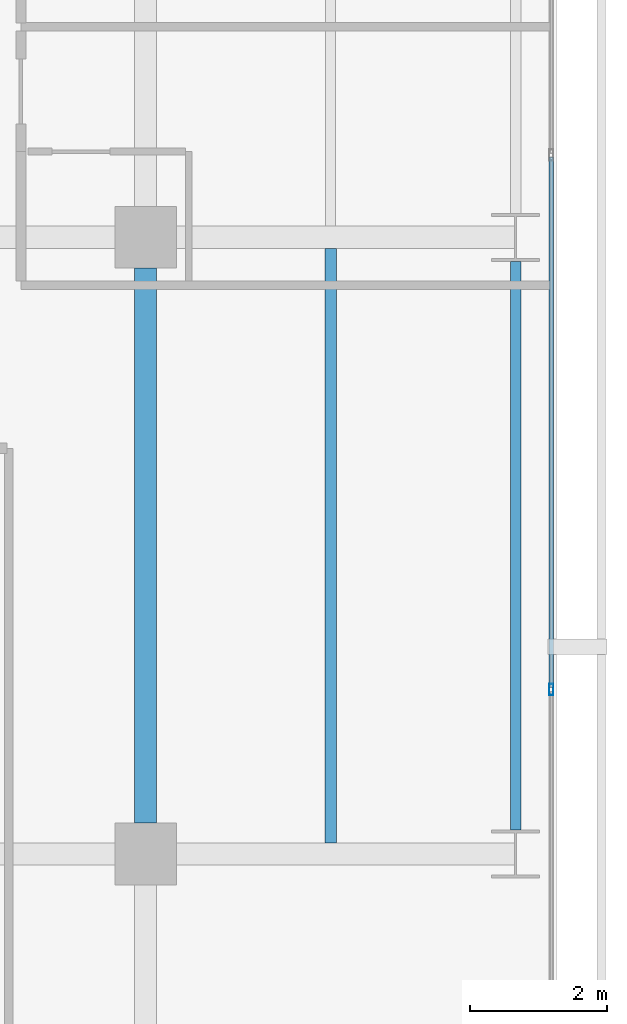
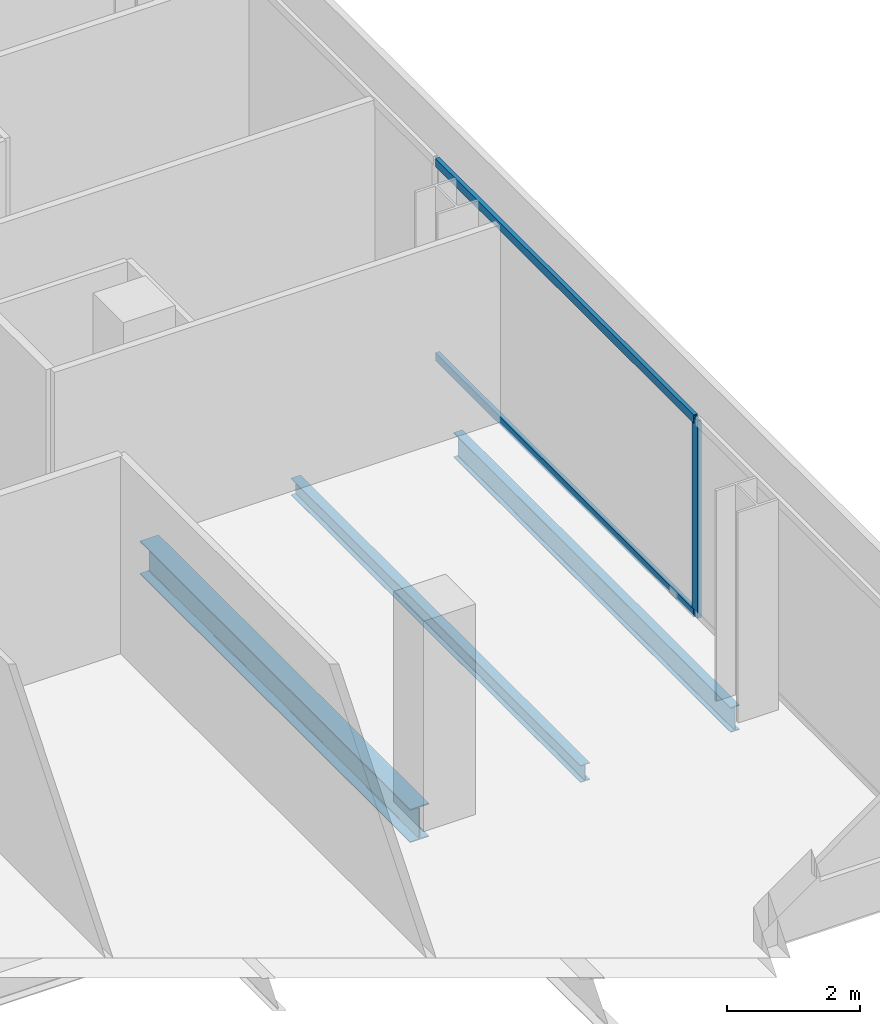
# One storey, part 17 of 40: 3 beams, 3 members, 1 element without a shape of its own.
"""IFC4 building model written with IfcOpenShell, lengths in metres."""

from ifc_helpers import new_model, si_unit, direction, frame, origin, origin_2d, place, context, subcontext, project, spatial, hollow_rectangle, i_section, extrude, material, layer, layer_set, material_profile, profile_set, type_object, element, aggregate, save


model = new_model("IFC4")

# Units and contexts
model_context = context("Model", 3, precision=1e-05, world=origin(), true_north=direction((0.0, 1.0)))
body_context = subcontext(model_context, "Body", "Model", "MODEL_VIEW")
ifc_project = project(units=[si_unit("LENGTHUNIT", "METRE"), si_unit("AREAUNIT", "SQUARE_METRE"), si_unit("VOLUMEUNIT", "CUBIC_METRE"), si_unit("PLANEANGLEUNIT", "RADIAN"), si_unit("MASSUNIT", "GRAM", prefix="KILO")], contexts=[model_context])

# Site, building, storey
site_placement = place(None, origin())
site = spatial("IfcSite", under=ifc_project, at=site_placement, CompositionType="ELEMENT")
building_placement = place(site_placement, origin())
building = spatial("IfcBuilding", under=site, at=building_placement, Name="Maruvema Waterfront Hotel and Observation Tower", CompositionType="ELEMENT")
storey_placement = place(building_placement, frame((0.0, 0.0, 100.10009765625)))
storey = spatial("IfcBuildingStorey", under=building, at=storey_placement, Name="L24", CompositionType="ELEMENT", Elevation=100.10009765625)

# Curtain wall, members
ifc_material_1 = material(Name="Anodised bronze aluminium and solar-control low-E IGU", Category="aluminium")
ifc_layer = layer(ifc_material_1, 0.159912109375, Name="Zone 1 Bronze Inner Thermal Curtain Wall System CW-02")
ifc_layer_set = layer_set([ifc_layer], Name="Anodised bronze aluminium and solar-control low-E IGU")
curtain_wall_type = type_object("IfcCurtainWallType", Name="Zone 1 Bronze Inner Thermal Curtain Wall System CW-02", PredefinedType="USERDEFINED", material=ifc_layer_set)
curtain_wall_placement = place(storey_placement, origin())
curtain_wall = element("IfcCurtainWall", 1, at=curtain_wall_placement, inside=storey, type_object=curtain_wall_type, Name="L24 Curtain Wall CW-L24-E", ObjectType="UNITISED CURTAIN WALL", PredefinedType="USERDEFINED")
ifc_material_2 = material(Name="Anodised architectural bronze aluminium", Category="aluminium")
ifc_material_profile_1 = material_profile(ifc_material_2, hollow_rectangle(XDim=0.070068359375, YDim=0.14990234375, WallThickness=0.00390625, at=origin_2d()), Name="ALU-T70x150")
ifc_profile_set_1 = profile_set([ifc_material_profile_1], Name="Anodised architectural bronze aluminium")
member_type_1 = type_object("IfcMemberType", Name="Curtain Wall Horizontal Transom ALU-T70x150", PredefinedType="USERDEFINED", material=ifc_profile_set_1)
member_1_placement = place(storey_placement, frame((64.719970703125, 11.429931640625, 0.02978515625), z_axis=(0.0, 1.0, 0.0), x_axis=(-1.0, 0.0, 0.0)))
member_1 = element("IfcMember", 2, at=member_1_placement, type_object=member_type_1, Name="CW-02 transom 2.1", ObjectType="TRANSOM", PredefinedType="USERDEFINED", context=body_context, shape_type="SweptSolid", body=[
    extrude(hollow_rectangle(XDim=0.070068359375, YDim=0.14990234375, WallThickness=0.00390625, at=origin_2d()), origin(), (0.0, 0.0, 1.0), 7.739990234375),
])
member_2_placement = place(storey_placement, frame((64.719970703125, 11.429931640625, 3.579833984375), z_axis=(0.0, 1.0, 0.0), x_axis=(-1.0, 0.0, 0.0)))
member_2 = element("IfcMember", 3, at=member_2_placement, type_object=member_type_1, Name="CW-02 transom 2.2", ObjectType="TRANSOM", PredefinedType="USERDEFINED", context=body_context, shape_type="SweptSolid", body=[
    extrude(hollow_rectangle(XDim=0.070068359375, YDim=0.14990234375, WallThickness=0.00390625, at=origin_2d()), origin(), (0.0, 0.0, 1.0), 7.739990234375),
])
ifc_material_3 = material(Name="Anodised architectural bronze aluminium", Category="aluminium")
ifc_material_profile_2 = material_profile(ifc_material_3, hollow_rectangle(XDim=0.06494140625, YDim=0.1650390625, WallThickness=0.00390625, at=origin_2d()), Name="ALU-M65x165")
ifc_profile_set_2 = profile_set([ifc_material_profile_2], Name="Anodised architectural bronze aluminium")
member_type_2 = type_object("IfcMemberType", Name="Curtain Wall Primary Mullion ALU-M65x165", PredefinedType="MULLION", material=ifc_profile_set_2)
member_3_placement = place(storey_placement, frame((64.719970703125, 11.39990234375, 0.0), z_axis=(0.0, 0.0, 1.0), x_axis=(-1.0, 0.0, 0.0)))
member_3 = element("IfcMember", 4, at=member_3_placement, type_object=member_type_2, Name="CW-02 mullion 2", PredefinedType="MULLION", context=body_context, shape_type="SweptSolid", body=[
    extrude(hollow_rectangle(XDim=0.06494140625, YDim=0.1650390625, WallThickness=0.00390625, at=origin_2d()), origin(), (0.0, 0.0, 1.0), 3.60986328125),
])
aggregate(curtain_wall, [member_3, member_1, member_2])

# Beams
ifc_material_4 = material(Name="Steel ASTM A572 Grade 50", Category="steel")
ifc_material_profile_3 = material_profile(ifc_material_4, i_section(OverallWidth=0.153076171875, OverallDepth=0.455078125, WebThickness=0.008056640625, FlangeThickness=0.01318359375, FilletRadius=0.014892578125, at=origin_2d()), Name="W460x60.0")
ifc_profile_set_3 = profile_set([ifc_material_profile_3], Name="Steel ASTM A572 Grade 50")
beam_type_1 = type_object("IfcBeamType", Name="Perimeter Spandrel Beam W460x60.0", PredefinedType="SPANDREL", material=ifc_profile_set_3)
beam_1_placement = place(storey_placement, frame((64.199951171875, 9.35009765625, -0.467529296875), z_axis=(0.0, 1.0, 0.0), x_axis=(-1.0, 0.0, 0.0)))
element("IfcBeam", 5, at=beam_1_placement, inside=storey, type_object=beam_type_1, Name="L24 Floor Girder NS-33", PredefinedType="SPANDREL", context=body_context, shape_type="SweptSolid", body=[
    extrude(i_section(OverallWidth=0.153076171875, OverallDepth=0.455078125, WebThickness=0.008056640625, FlangeThickness=0.01318359375, FilletRadius=0.014892578125, at=origin_2d()), origin(), (0.0, 0.0, 1.0), 8.2998046875),
])
ifc_material_5 = material(Name="Steel ASTM A572 Grade 50", Category="steel")
ifc_material_profile_4 = material_profile(ifc_material_5, i_section(OverallWidth=0.323974609375, OverallDepth=0.611083984375, WebThickness=0.0126953125, FlangeThickness=0.01904296875, FilletRadius=0.01806640625, at=origin_2d()), Name="W610x155.0")
ifc_profile_set_4 = profile_set([ifc_material_profile_4], Name="Steel ASTM A572 Grade 50")
beam_type_2 = type_object("IfcBeamType", Name="Primary Floor Girder W610x155.0", PredefinedType="BEAM", material=ifc_profile_set_4)
beam_2_placement = place(storey_placement, frame((58.800048828125, 9.449951171875, -0.545654296875), z_axis=(0.0, 1.0, 0.0), x_axis=(-1.0, 0.0, 0.0)))
element("IfcBeam", 6, at=beam_2_placement, inside=storey, type_object=beam_type_2, Name="L24 Floor Girder NS-28", PredefinedType="BEAM", context=body_context, shape_type="SweptSolid", body=[
    extrude(i_section(OverallWidth=0.323974609375, OverallDepth=0.611083984375, WebThickness=0.0126953125, FlangeThickness=0.01904296875, FilletRadius=0.01806640625, at=origin_2d()), origin(), (0.0, 0.0, 1.0), 8.10009765625),
])
ifc_material_6 = material(Name="Steel ASTM A572 Grade 50", Category="steel")
ifc_material_profile_5 = material_profile(ifc_material_6, i_section(OverallWidth=0.1650390625, OverallDepth=0.31005859375, WebThickness=0.005859375, FlangeThickness=0.009765625, FilletRadius=0.012939453125, at=origin_2d()), Name="W310x38.7")
ifc_profile_set_5 = profile_set([ifc_material_profile_5], Name="Steel ASTM A572 Grade 50")
beam_type_3 = type_object("IfcBeamType", Name="Secondary Floor Joist W310x38.7", PredefinedType="JOIST", material=ifc_profile_set_5)
beam_3_placement = place(storey_placement, frame((61.5, 9.162109375, -0.39501953125), z_axis=(0.0, 1.0, 0.0), x_axis=(-1.0, 0.0, 0.0)))
element("IfcBeam", 7, at=beam_3_placement, inside=storey, type_object=beam_type_3, Name="L24 Secondary Floor Joist JS-21", PredefinedType="JOIST", context=body_context, shape_type="SweptSolid", body=[
    extrude(i_section(OverallWidth=0.1650390625, OverallDepth=0.31005859375, WebThickness=0.005859375, FlangeThickness=0.009765625, FilletRadius=0.012939453125, at=origin_2d()), origin(), (0.0, 0.0, 1.0), 8.67578125),
])

save(model, "model.ifc")
